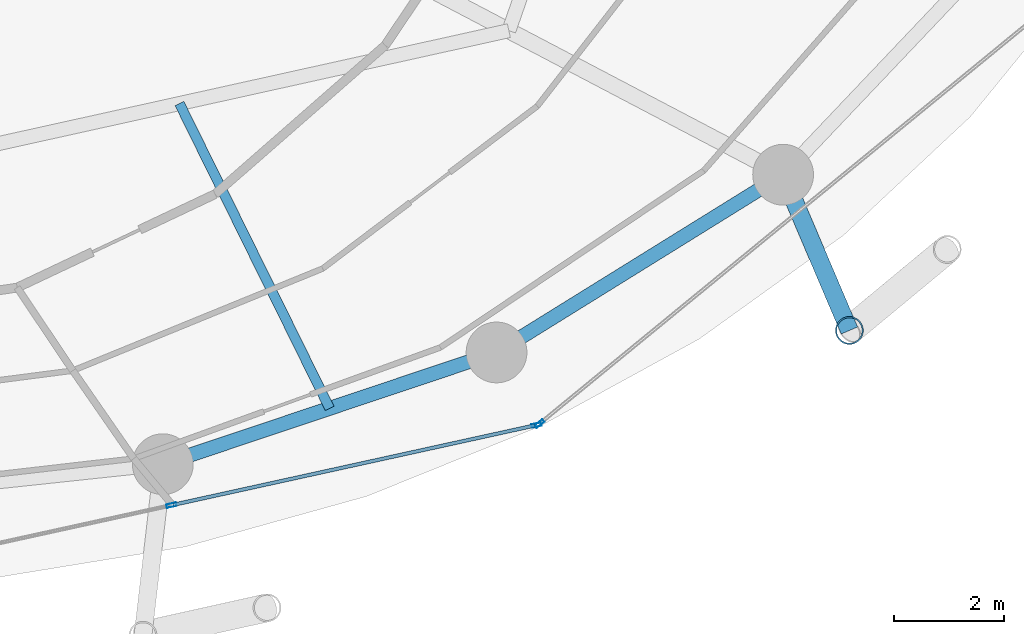
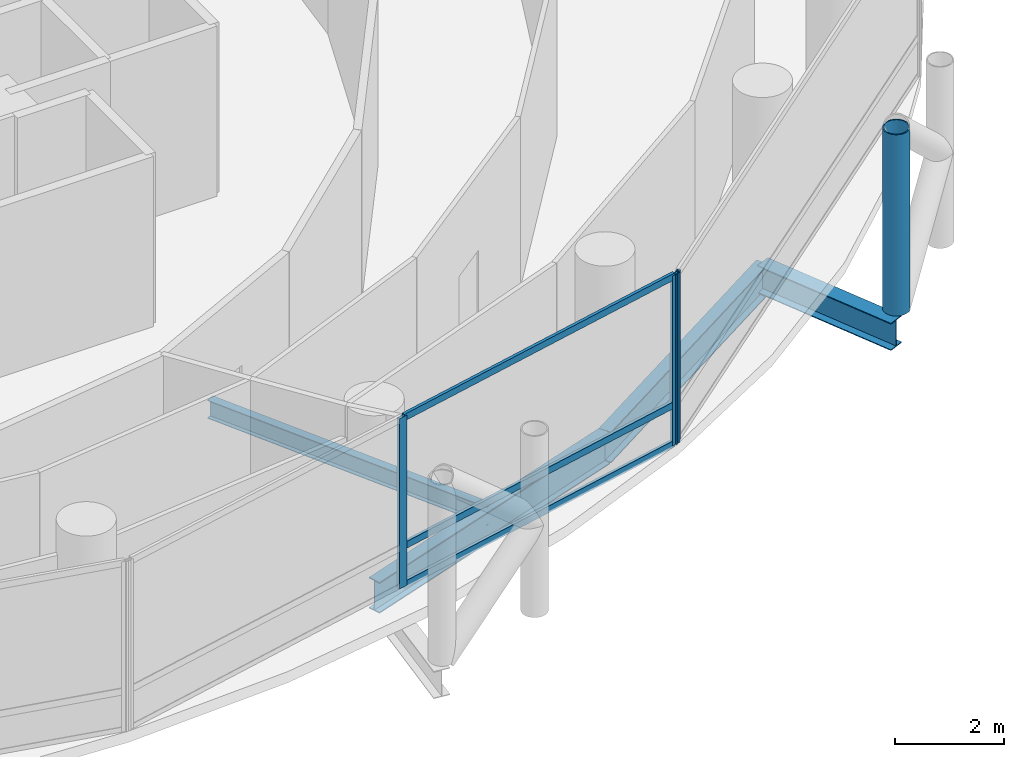
# One storey, part 8 of 26: 7 members, 4 beams, 2 elements without a shape of their own.
"""IFC4 building model written with IfcOpenShell, lengths in metres."""

from ifc_helpers import new_model, si_unit, direction, frame, origin, origin_2d, place, context, subcontext, project, spatial, hollow_rectangle, hollow_circle, i_section, extrude, material, layer, layer_set, material_profile, profile_set, type_object, element, aggregate, save


model = new_model("IFC4")

# Units and contexts
model_context = context("Model", 3, precision=1e-05, world=origin(), true_north=direction((0.0, 1.0)))
body_context = subcontext(model_context, "Body", "Model", "MODEL_VIEW")
ifc_project = project(units=[si_unit("LENGTHUNIT", "METRE"), si_unit("AREAUNIT", "SQUARE_METRE"), si_unit("VOLUMEUNIT", "CUBIC_METRE"), si_unit("PLANEANGLEUNIT", "RADIAN"), si_unit("MASSUNIT", "GRAM", prefix="KILO")], contexts=[model_context])

# Site, building, storey
site_placement = place(None, origin())
site = spatial("IfcSite", under=ifc_project, at=site_placement, CompositionType="ELEMENT")
building_placement = place(site_placement, origin())
building = spatial("IfcBuilding", under=site, at=building_placement, Name="Nuhasar Tower", CompositionType="ELEMENT")
storey_placement = place(building_placement, frame((0.0, 0.0, 97.949951171875)))
storey = spatial("IfcBuildingStorey", under=building, at=storey_placement, Name="L23", CompositionType="ELEMENT", Elevation=97.949951171875)

# Beams
ifc_material_1 = material(Name="Steel S355", Category="steel")
ifc_material_profile_1 = material_profile(ifc_material_1, i_section(OverallWidth=0.177978515625, OverallDepth=0.406005859375, WebThickness=0.0078125, FlangeThickness=0.0126953125, at=origin_2d()), Name="W16X40")
ifc_profile_set_1 = profile_set([ifc_material_profile_1], Name="Steel S355")
beam_type_1 = type_object("IfcBeamType", Name="BM-JST-W16X40", PredefinedType="JOIST", material=ifc_profile_set_1)
beam_1_placement = place(storey_placement, frame((45.783935546875, 13.77001953125, -0.452880859375), z_axis=(0.442126747458, -0.89695258469, 0.0), x_axis=(0.89695258469, 0.442126747458, 0.0)))
element("IfcBeam", 1, at=beam_1_placement, inside=storey, type_object=beam_type_1, Name="L23 Secondary Floor Joist 02", PredefinedType="JOIST", context=body_context, shape_type="SweptSolid", body=[
    extrude(i_section(OverallWidth=0.177978515625, OverallDepth=0.406005859375, WebThickness=0.0078125, FlangeThickness=0.0126953125, at=origin_2d()), origin(), (0.0, 0.0, 1.0), 6.152099609375),
])
ifc_material_profile_2 = material_profile(ifc_material_1, i_section(OverallWidth=0.256103515625, OverallDepth=0.693115234375, WebThickness=0.014404296875, FlangeThickness=0.023681640625, at=origin_2d()), Name="W27X114")
ifc_profile_set_2 = profile_set([ifc_material_profile_2], Name="Steel S355")
beam_type_2 = type_object("IfcBeamType", Name="BM-RING-W27X114", PredefinedType="SPANDREL", material=ifc_profile_set_2)
beam_2_placement = place(storey_placement, frame((45.48291015625, 7.239990234375, -0.596923828125), z_axis=(0.94826097201, 0.317491935271, 0.0), x_axis=(-0.317491935271, 0.94826097201, 0.0)))
element("IfcBeam", 2, at=beam_2_placement, inside=storey, type_object=beam_type_2, Name="L23 Perimeter Ring Spandrel 20", PredefinedType="SPANDREL", context=body_context, shape_type="SweptSolid", body=[
    extrude(i_section(OverallWidth=0.256103515625, OverallDepth=0.693115234375, WebThickness=0.014404296875, FlangeThickness=0.023681640625, at=origin_2d()), origin(), (0.0, 0.0, 1.0), 6.37158203125),
])
beam_3_placement = place(storey_placement, frame((51.52490234375, 9.262939453125, -0.596923828125), z_axis=(0.849795216549, 0.527112976439, 0.0), x_axis=(-0.527112976439, 0.849795216549, 0.0)))
element("IfcBeam", 3, at=beam_3_placement, inside=storey, type_object=beam_type_2, Name="L23 Perimeter Ring Spandrel 21", PredefinedType="SPANDREL", context=body_context, shape_type="SweptSolid", body=[
    extrude(i_section(OverallWidth=0.256103515625, OverallDepth=0.693115234375, WebThickness=0.014404296875, FlangeThickness=0.023681640625, at=origin_2d()), origin(), (0.0, 0.0, 1.0), 6.10498046875),
])
ifc_material_profile_3 = material_profile(ifc_material_1, i_section(OverallWidth=0.323974609375, OverallDepth=0.611083984375, WebThickness=0.0126953125, FlangeThickness=0.01904296875, at=origin_2d()), Name="W24X104")
ifc_profile_set_3 = profile_set([ifc_material_profile_3], Name="Steel S355")
beam_type_3 = type_object("IfcBeamType", Name="BM-TIE-W24X104", PredefinedType="BEAM", material=ifc_profile_set_3)
beam_4_placement = place(storey_placement, frame((56.712890625, 12.48095703125, -0.554931640625), z_axis=(0.391601084021, -0.920135093882, 0.0), x_axis=(0.920135093882, 0.391601084021, 0.0)))
element("IfcBeam", 4, at=beam_4_placement, inside=storey, type_object=beam_type_3, Name="L23 Exoskeleton Node Tie Beam 11", PredefinedType="BEAM", context=body_context, shape_type="SweptSolid", body=[
    extrude(i_section(OverallWidth=0.323974609375, OverallDepth=0.611083984375, WebThickness=0.0126953125, FlangeThickness=0.01904296875, at=origin_2d()), origin(), (0.0, 0.0, 1.0), 3.06494140625),
])

# Curtain wall, members
ifc_material_2 = material(Name="Aluminium 6063-T6", Category="aluminium")
ifc_layer = layer(ifc_material_2, 0.199951171875)
ifc_layer_set = layer_set([ifc_layer], Name="Aluminium 6063-T6")
curtain_wall_type = type_object("IfcCurtainWallType", Name="CW-Z1-OFF", PredefinedType="NOTDEFINED", material=ifc_layer_set)
curtain_wall_1_placement = place(storey_placement, origin())
curtain_wall_1 = element("IfcCurtainWall", 5, at=curtain_wall_1_placement, inside=storey, type_object=curtain_wall_type, Name="L23 Unitised Curtain Wall 10", PredefinedType="NOTDEFINED")
ifc_material_profile_4 = material_profile(ifc_material_2, hollow_rectangle(XDim=0.06494140625, YDim=0.179931640625, WallThickness=0.0048828125, at=origin_2d()), Name="CWM-2")
ifc_profile_set_4 = profile_set([ifc_material_profile_4], Name="Aluminium 6063-T6")
member_type_1 = type_object("IfcMemberType", Name="CW-MUL-S2", PredefinedType="MULLION", material=ifc_profile_set_4)
member_1_placement = place(storey_placement, frame((45.639892578125, 6.49755859375, 0.0), z_axis=(0.0, 0.0, 1.0), x_axis=(-0.214398737637, 0.976746221544, 0.0)))
member_1 = element("IfcMember", 6, at=member_1_placement, type_object=member_type_1, Name="CW-Z1 mullion 2", PredefinedType="MULLION", context=body_context, shape_type="SweptSolid", body=[
    extrude(hollow_rectangle(XDim=0.06494140625, YDim=0.179931640625, WallThickness=0.0048828125, at=origin_2d()), origin(), (0.0, 0.0, 1.0), 3.800048828125),
])
member_2_placement = place(storey_placement, frame((52.248291015625, 7.947998046875, 0.0), z_axis=(0.0, 0.0, 1.0), x_axis=(-0.214398737637, 0.976746221544, 0.0)))
member_2 = element("IfcMember", 7, at=member_2_placement, type_object=member_type_1, Name="CW-Z1 mullion 3", PredefinedType="MULLION", context=body_context, shape_type="SweptSolid", body=[
    extrude(hollow_rectangle(XDim=0.06494140625, YDim=0.179931640625, WallThickness=0.0048828125, at=origin_2d()), origin(), (0.0, 0.0, 1.0), 3.800048828125),
])

# Curtain wall, member
curtain_wall_2_placement = place(storey_placement, origin())
curtain_wall_2 = element("IfcCurtainWall", 8, at=curtain_wall_2_placement, inside=storey, type_object=curtain_wall_type, Name="L23 Unitised Curtain Wall 11", PredefinedType="NOTDEFINED")
member_3_placement = place(storey_placement, frame((52.30517578125, 7.9755859375, 0.0), z_axis=(0.0, 0.0, 1.0), x_axis=(-0.633744593376, 0.773542364946, 0.0)))
member_3 = element("IfcMember", 9, at=member_3_placement, type_object=member_type_1, Name="CW-Z1 mullion 1", PredefinedType="MULLION", context=body_context, shape_type="SweptSolid", body=[
    extrude(hollow_rectangle(XDim=0.06494140625, YDim=0.179931640625, WallThickness=0.0048828125, at=origin_2d()), origin(), (0.0, 0.0, 1.0), 3.800048828125),
])
aggregate(curtain_wall_2, [member_3])

# Member
ifc_material_profile_5 = material_profile(ifc_material_2, hollow_rectangle(XDim=0.06494140625, YDim=0.14990234375, WallThickness=0.00439453125, at=origin_2d()), Name="CWT-2")
ifc_profile_set_5 = profile_set([ifc_material_profile_5], Name="Aluminium 6063-T6")
member_type_2 = type_object("IfcMemberType", Name="CW-TRN-S2", PredefinedType="USERDEFINED", material=ifc_profile_set_5)
member_4_placement = place(storey_placement, frame((45.671630859375, 6.50439453125, 0.032470703125), z_axis=(0.976741923778, 0.214418316228, 0.0), x_axis=(-0.214418316228, 0.976741923778, 0.0)))
member_4 = element("IfcMember", 10, at=member_4_placement, type_object=member_type_2, Name="CW-Z1 transom 2.1", ObjectType="TRANSOM", PredefinedType="USERDEFINED", context=body_context, shape_type="SweptSolid", body=[
    extrude(hollow_rectangle(XDim=0.06494140625, YDim=0.14990234375, WallThickness=0.00439453125, at=origin_2d()), origin(), (0.0, 0.0, 1.0), 6.70068359375),
])

member_5_placement = place(storey_placement, frame((45.671630859375, 6.50439453125, 0.900146484375), z_axis=(0.976741923778, 0.214418316228, 0.0), x_axis=(-0.214418316228, 0.976741923778, 0.0)))
member_5 = element("IfcMember", 11, at=member_5_placement, type_object=member_type_2, Name="CW-Z1 transom 2.2", ObjectType="TRANSOM", PredefinedType="USERDEFINED", context=body_context, shape_type="SweptSolid", body=[
    extrude(hollow_rectangle(XDim=0.06494140625, YDim=0.14990234375, WallThickness=0.00439453125, at=origin_2d()), origin(), (0.0, 0.0, 1.0), 6.70068359375),
])

member_6_placement = place(storey_placement, frame((45.671630859375, 6.50439453125, 3.767578125), z_axis=(0.976741923778, 0.214418316228, 0.0), x_axis=(-0.214418316228, 0.976741923778, 0.0)))
member_6 = element("IfcMember", 12, at=member_6_placement, type_object=member_type_2, Name="CW-Z1 transom 2.3", ObjectType="TRANSOM", PredefinedType="USERDEFINED", context=body_context, shape_type="SweptSolid", body=[
    extrude(hollow_rectangle(XDim=0.06494140625, YDim=0.14990234375, WallThickness=0.00439453125, at=origin_2d()), origin(), (0.0, 0.0, 1.0), 6.70068359375),
])

aggregate(curtain_wall_1, [member_1, member_2, member_4, member_5, member_6])

ifc_material_3 = material(Name="Steel S460", Category="steel")
ifc_material_profile_6 = material_profile(ifc_material_3, hollow_circle(Radius=0.25390625, WallThickness=0.025390625, at=origin_2d()), Name="HSS508X25.4")
ifc_profile_set_6 = profile_set([ifc_material_profile_6], Name="Steel S460")
member_type_3 = type_object("IfcMemberType", Name="EXO-BRONZE-508", PredefinedType="BRACE", material=ifc_profile_set_6)
member_7_placement = place(storey_placement, frame((57.9130859375, 9.660888671875, 0.0), z_axis=(0.0, 0.0, 1.0), x_axis=(1.0, 0.0, 0.0)))
element("IfcMember", 13, at=member_7_placement, inside=storey, type_object=member_type_3, Name="L23 Exoskeleton Chord Column EC-11A", PredefinedType="BRACE", context=body_context, shape_type="SweptSolid", body=[
    extrude(hollow_circle(Radius=0.25390625, WallThickness=0.025390625, at=origin_2d()), origin(), (0.0, 0.0, 1.0), 4.050048828125),
])

save(model, "model.ifc")
